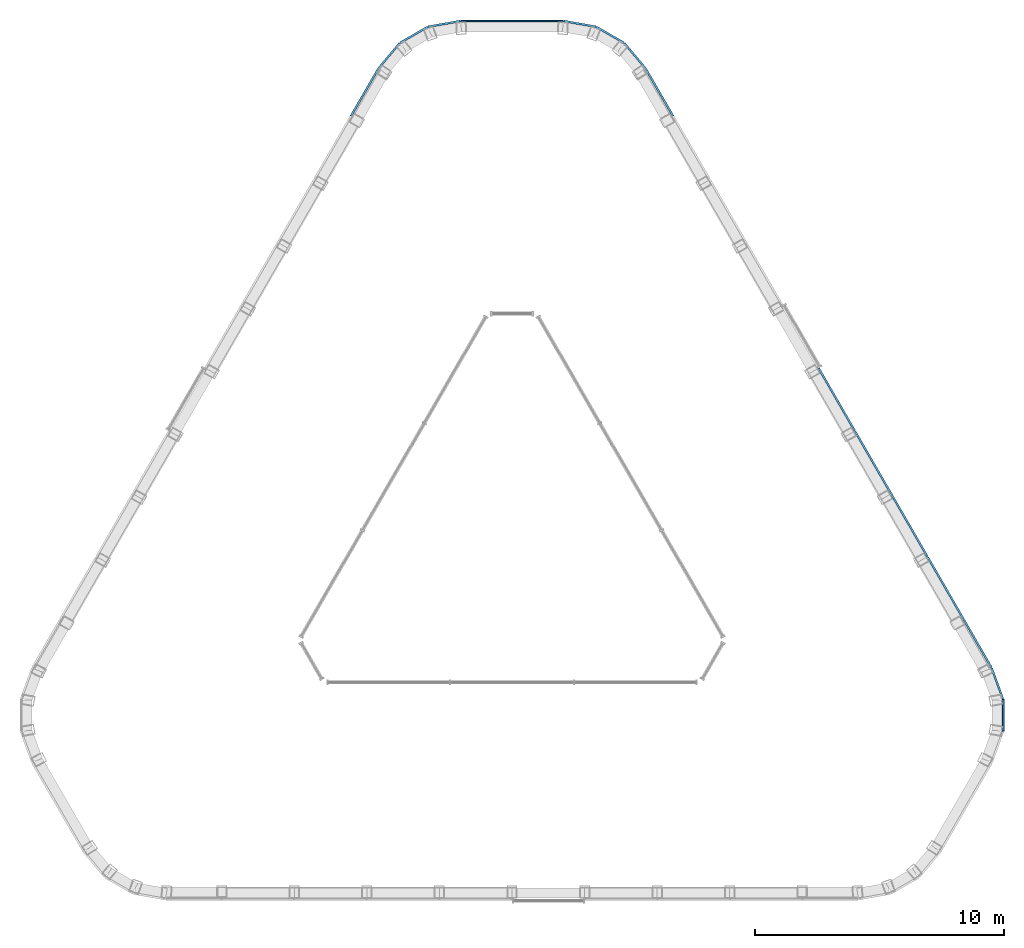
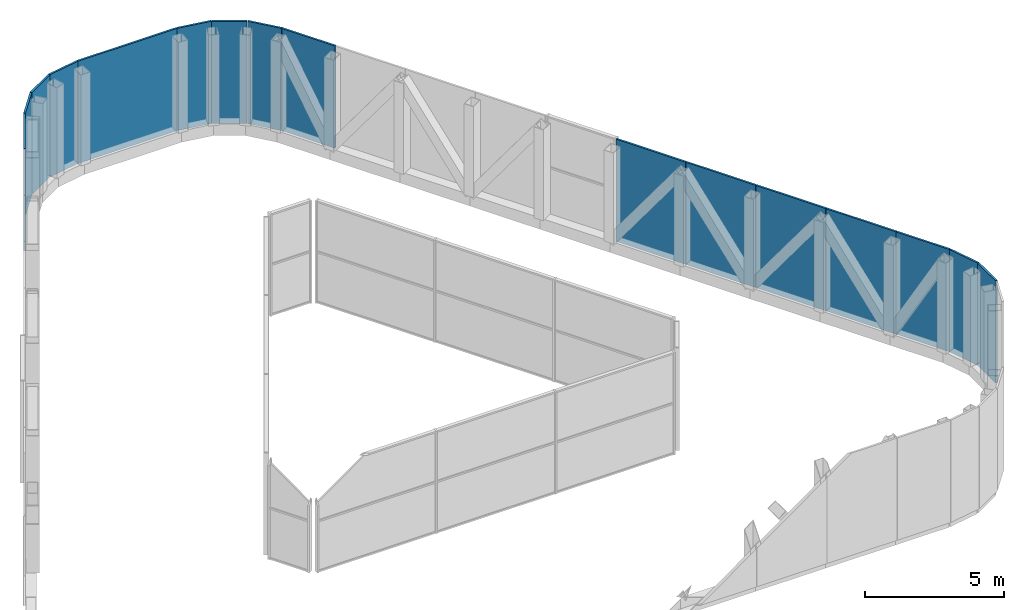
# One storey, part 5 of 5: 16 plates.
"""IFC4 building model written with IfcOpenShell, lengths in metres."""

from ifc_helpers import new_model, si_unit, direction, frame, origin, origin_2d, place, context, subcontext, project, spatial, rectangle, extrude, material, layer, layer_set, type_object, element, save


model = new_model("IFC4")

# Units and contexts
model_context = context("Model", 3, precision=1e-05, world=origin(), true_north=direction((0.0, 1.0)))
body_context = subcontext(model_context, "Body", "Model", "MODEL_VIEW")
ifc_project = project(units=[si_unit("LENGTHUNIT", "METRE"), si_unit("AREAUNIT", "SQUARE_METRE"), si_unit("VOLUMEUNIT", "CUBIC_METRE"), si_unit("PLANEANGLEUNIT", "RADIAN"), si_unit("MASSUNIT", "GRAM", prefix="KILO")], contexts=[model_context])

# Site, building, storey
site_placement = place(None, origin())
site = spatial("IfcSite", under=ifc_project, at=site_placement, CompositionType="ELEMENT")
building_placement = place(site_placement, origin())
building = spatial("IfcBuilding", under=site, at=building_placement, Name="Apuvela Tower Hotel", CompositionType="ELEMENT")
storey_placement = place(building_placement, frame((0.0, 0.0, 357.800048828125)))
storey = spatial("IfcBuildingStorey", under=building, at=storey_placement, Name="R-4 ROOF", CompositionType="ELEMENT", Elevation=357.800048828125)

# Plates
ifc_material = material(Name="Aluminium 6063-T6, black anodised perforated panel", Category="aluminium")
ifc_layer = layer(ifc_material, 0.080078125)
ifc_layer_set = layer_set([ifc_layer], Name="ENV-CROWN-SCREEN-80")
plate_type = type_object("IfcPlateType", Name="ENV-CROWN-SCREEN-80", PredefinedType="SHEET", material=ifc_layer_set)
plate_1_placement = place(storey_placement, frame((3.942626953125, 20.489013671875, 0.0), z_axis=(0.0, 0.0, 1.0), x_axis=(-0.866025403784, 0.5, 0.0)))
element("IfcPlate", 1, at=plate_1_placement, inside=storey, type_object=plate_type, Name="Crown screen 1", PredefinedType="SHEET", context=body_context, shape_type="SweptSolid", body=[
    extrude(rectangle(XDim=1.2841796875, YDim=0.080078125, at=origin_2d()), origin(), (0.0, 0.0, 1.0), 4.5),
])
plate_2_placement = place(storey_placement, frame((2.72216796875, 20.930908203125, 0.0), z_axis=(0.0, 0.0, 1.0), x_axis=(-0.984807753012, 0.173648177667, 0.0)))
element("IfcPlate", 2, at=plate_2_placement, inside=storey, type_object=plate_type, Name="Crown screen 2", PredefinedType="SHEET", context=body_context, shape_type="SweptSolid", body=[
    extrude(rectangle(XDim=1.311767578125, YDim=0.080078125, at=origin_2d()), origin(), (0.0, 0.0, 1.0), 4.5),
])
plate_3_placement = place(storey_placement, frame((0.0, 21.04638671875, 0.0), z_axis=(0.0, 0.0, 1.0), x_axis=(-1.0, 0.0, 0.0)))
element("IfcPlate", 3, at=plate_3_placement, inside=storey, type_object=plate_type, Name="Crown screen 3", PredefinedType="SHEET", context=body_context, shape_type="SweptSolid", body=[
    extrude(rectangle(XDim=4.11279296875, YDim=0.080078125, at=origin_2d()), origin(), (0.0, 0.0, 1.0), 4.5),
])
plate_4_placement = place(storey_placement, frame((-2.72216796875, 20.930908203125, 0.0), z_axis=(0.0, 0.0, 1.0), x_axis=(-0.984807753012, -0.173648177667, 0.0)))
element("IfcPlate", 4, at=plate_4_placement, inside=storey, type_object=plate_type, Name="Crown screen 4", PredefinedType="SHEET", context=body_context, shape_type="SweptSolid", body=[
    extrude(rectangle(XDim=1.311767578125, YDim=0.080078125, at=origin_2d()), origin(), (0.0, 0.0, 1.0), 4.5),
])
plate_5_placement = place(storey_placement, frame((-3.942626953125, 20.489013671875, 0.0), z_axis=(0.0, 0.0, 1.0), x_axis=(-0.866025403784, -0.5, 0.0)))
element("IfcPlate", 5, at=plate_5_placement, inside=storey, type_object=plate_type, Name="Crown screen 5", PredefinedType="SHEET", context=body_context, shape_type="SweptSolid", body=[
    extrude(rectangle(XDim=1.2841796875, YDim=0.080078125, at=origin_2d()), origin(), (0.0, 0.0, 1.0), 4.5),
])
plate_6_placement = place(storey_placement, frame((-4.935302734375, 19.653076171875, 0.0), z_axis=(0.0, 0.0, 1.0), x_axis=(-0.642787609687, -0.766044443119, 0.0)))
element("IfcPlate", 6, at=plate_6_placement, inside=storey, type_object=plate_type, Name="Crown screen 6", PredefinedType="SHEET", context=body_context, shape_type="SweptSolid", body=[
    extrude(rectangle(XDim=1.311767578125, YDim=0.080078125, at=origin_2d()), origin(), (0.0, 0.0, 1.0), 4.5),
])
plate_7_placement = place(storey_placement, frame((-5.920166015625, 18.178466796875, 0.0), z_axis=(0.0, 0.0, 1.0), x_axis=(-0.5, -0.866025403784, 0.0)))
element("IfcPlate", 7, at=plate_7_placement, inside=storey, type_object=plate_type, Name="Crown screen 7", PredefinedType="SHEET", context=body_context, shape_type="SweptSolid", body=[
    extrude(rectangle(XDim=2.20751953125, YDim=0.080078125, at=origin_2d()), origin(), (0.0, 0.0, 1.0), 4.5),
])
plate_8_placement = place(storey_placement, frame((19.71533203125, -6.830078125, 0.0), z_axis=(0.0, 0.0, 1.0), x_axis=(0.0, 1.0, 0.0)))
element("IfcPlate", 8, at=plate_8_placement, inside=storey, type_object=plate_type, Name="Crown screen 39", PredefinedType="SHEET", context=body_context, shape_type="SweptSolid", body=[
    extrude(rectangle(XDim=1.2841796875, YDim=0.080078125, at=origin_2d()), origin(), (0.0, 0.0, 1.0), 4.5),
])
plate_9_placement = place(storey_placement, frame((19.487548828125, -5.552490234375, 0.0), z_axis=(0.0, 0.0, 1.0), x_axis=(-0.342020143326, 0.939692620786, 0.0)))
element("IfcPlate", 9, at=plate_9_placement, inside=storey, type_object=plate_type, Name="Crown screen 40", PredefinedType="SHEET", context=body_context, shape_type="SweptSolid", body=[
    extrude(rectangle(XDim=1.311767578125, YDim=0.080078125, at=origin_2d()), origin(), (0.0, 0.0, 1.0), 4.5),
])
plate_10_placement = place(storey_placement, frame((18.702880859375, -3.962158203125, 0.0), z_axis=(0.0, 0.0, 1.0), x_axis=(-0.5, 0.866025403784, 0.0)))
element("IfcPlate", 10, at=plate_10_placement, inside=storey, type_object=plate_type, Name="Crown screen 41", PredefinedType="SHEET", context=body_context, shape_type="SweptSolid", body=[
    extrude(rectangle(XDim=2.20751953125, YDim=0.080078125, at=origin_2d()), origin(), (0.0, 0.0, 1.0), 4.5),
])
for number, where, z_axis, x_axis, name in (
    (11, (17.4169921875, -1.734619140625, 0.0), (0.0, 0.0, 1.0), (-0.5, 0.866025403784, 0.0), "Crown screen 42"),
    (12, (15.958251953125, 0.7919921875, 0.0), (0.0, 0.0, 1.0), (-0.5, 0.866025403784, 0.0), "Crown screen 43"),
    (13, (14.49951171875, 3.318359375, 0.0), (0.0, 0.0, 1.0), (-0.5, 0.866025403784, 0.0), "Crown screen 44"),
    (14, (13.041015625, 5.844970703125, 0.0), (0.0, 0.0, 1.0), (-0.5, 0.866025403784, 0.0), "Crown screen 45"),
):
    element("IfcPlate", number, at=place(storey_placement, frame(where, z_axis=z_axis, x_axis=x_axis)), inside=storey, type_object=plate_type, Name=name, PredefinedType="SHEET", context=body_context, shape_type="SweptSolid", body=[
        extrude(rectangle(XDim=2.897216796875, YDim=0.080078125, at=origin_2d()), origin(), (0.0, 0.0, 1.0), 4.5),
    ])
plate_11_placement = place(storey_placement, frame((5.920166015625, 18.178466796875, 0.0), z_axis=(0.0, 0.0, 1.0), x_axis=(-0.5, 0.866025403784, 0.0)))
element("IfcPlate", 15, at=plate_11_placement, inside=storey, type_object=plate_type, Name="Crown screen 50", PredefinedType="SHEET", context=body_context, shape_type="SweptSolid", body=[
    extrude(rectangle(XDim=2.20751953125, YDim=0.080078125, at=origin_2d()), origin(), (0.0, 0.0, 1.0), 4.5),
])
plate_12_placement = place(storey_placement, frame((4.935302734375, 19.653076171875, 0.0), z_axis=(0.0, 0.0, 1.0), x_axis=(-0.642787609687, 0.766044443119, 0.0)))
element("IfcPlate", 16, at=plate_12_placement, inside=storey, type_object=plate_type, Name="Crown screen 51", PredefinedType="SHEET", context=body_context, shape_type="SweptSolid", body=[
    extrude(rectangle(XDim=1.311767578125, YDim=0.080078125, at=origin_2d()), origin(), (0.0, 0.0, 1.0), 4.5),
])

save(model, "model.ifc")
